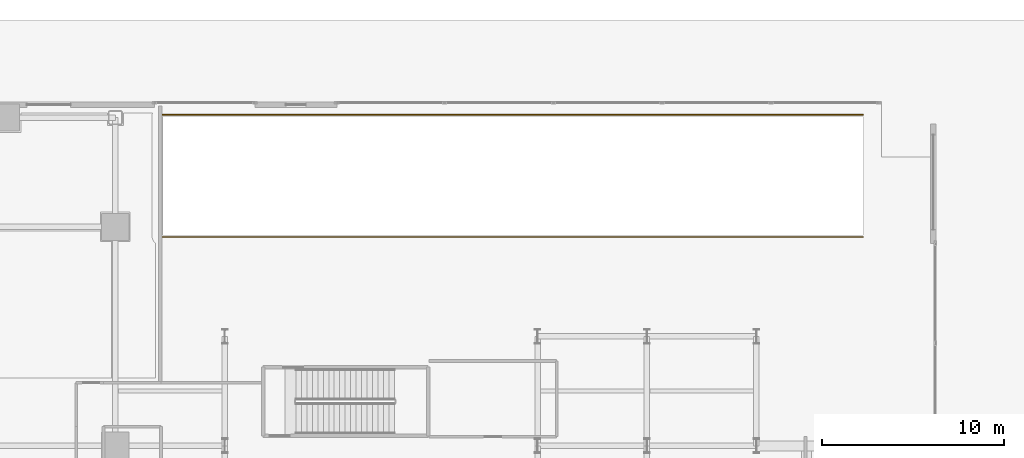
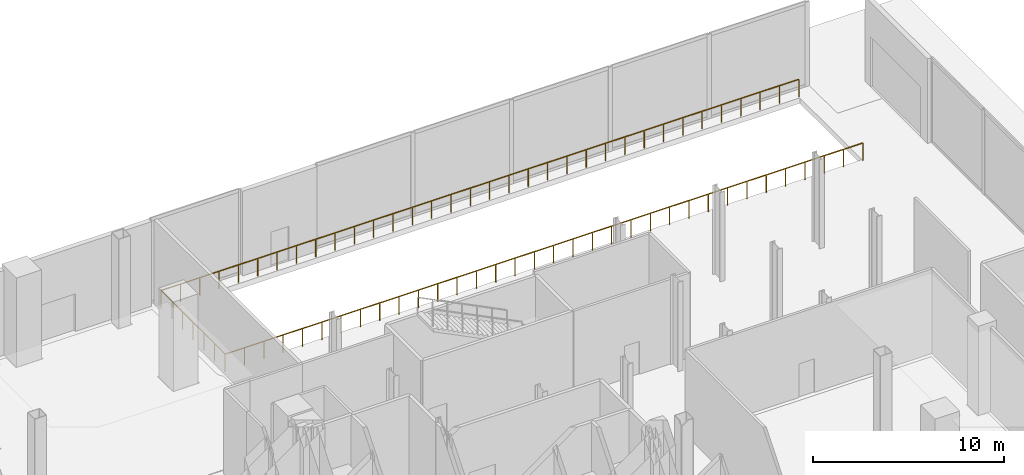
# One storey, part 26 of 27: 1 railing.
"""IFC4 building model written with IfcOpenShell, lengths in metres."""

from ifc_helpers import new_model, si_unit, direction, frame, origin, origin_2d, place, context, subcontext, project, spatial, rectangle, extrude, material, type_object, element, save


model = new_model("IFC4")

# Units and contexts
model_context = context("Model", 3, precision=1e-05, world=origin(), true_north=direction((0.0, 1.0)))
body_context = subcontext(model_context, "Body", "Model", "MODEL_VIEW")
ifc_project = project(units=[si_unit("LENGTHUNIT", "METRE"), si_unit("AREAUNIT", "SQUARE_METRE"), si_unit("VOLUMEUNIT", "CUBIC_METRE"), si_unit("PLANEANGLEUNIT", "RADIAN"), si_unit("MASSUNIT", "GRAM", prefix="KILO"), si_unit("THERMODYNAMICTEMPERATUREUNIT", "KELVIN"), si_unit("POWERUNIT", "WATT")], contexts=[model_context])

# Site, building, storey
site_placement = place(None, origin())
site = spatial("IfcSite", under=ifc_project, at=site_placement, CompositionType="ELEMENT")
building_placement = place(site_placement, origin())
building = spatial("IfcBuilding", under=site, at=building_placement, Name="Svarakhadi Broadcast Tower", CompositionType="ELEMENT")
storey_placement = place(building_placement, origin())
storey = spatial("IfcBuildingStorey", under=building, at=storey_placement, Name="L00", CompositionType="ELEMENT", Elevation=0.0)

# Railing
ifc_material = material(Name="Anodised Bronze Aluminium AA 6063-T6", Category="aluminium")
railing_type = type_object("IfcRailingType", Name="Guard_Void_GR04", PredefinedType="GUARDRAIL", material=ifc_material)
railing_placement = place(storey_placement, frame((59.0, 47.300048828125, 0.0)))
element("IfcRailing", 1, at=railing_placement, inside=storey, type_object=railing_type, Name="L00 Vehicle Ramp Portal Well Guard GR-04", PredefinedType="GUARDRAIL", context=body_context, shape_type="SweptSolid", body=[
    extrude(rectangle(XDim=0.048095703125, YDim=0.048095703125, at=origin_2d()), frame((0.0, 0.0, 1.1259765625), z_axis=(-1.0, 0.0, 0.0), x_axis=(0.0, -1.0, 0.0)), (0.0, 0.0, 1.0), 38.5),
    extrude(rectangle(XDim=0.048095703125, YDim=0.048095703125, at=origin_2d()), frame((-38.5, 0.0, 1.1259765625), z_axis=(0.0, -1.0, 0.0), x_axis=(1.0, 0.0, 0.0)), (0.0, 0.0, 1.0), 6.699951171875),
    extrude(rectangle(XDim=0.048095703125, YDim=0.048095703125, at=origin_2d()), frame((-38.5, -6.699951171875, 1.1259765625), z_axis=(1.0, 0.0, 0.0), x_axis=(0.0, 1.0, 0.0)), (0.0, 0.0, 1.0), 38.5),
    extrude(rectangle(XDim=0.0419921875, YDim=0.0419921875, at=origin_2d()), origin(), (0.0, 0.0, 1.0), 1.101806640625),
    extrude(rectangle(XDim=0.0419921875, YDim=0.0419921875, at=origin_2d()), frame((-1.166748046875, 0.0, 0.0)), (0.0, 0.0, 1.0), 1.101806640625),
    extrude(rectangle(XDim=0.0419921875, YDim=0.0419921875, at=origin_2d()), frame((-2.333251953125, 0.0, 0.0)), (0.0, 0.0, 1.0), 1.101806640625),
    extrude(rectangle(XDim=0.0419921875, YDim=0.0419921875, at=origin_2d()), frame((-3.5, 0.0, 0.0)), (0.0, 0.0, 1.0), 1.101806640625),
    extrude(rectangle(XDim=0.0419921875, YDim=0.0419921875, at=origin_2d()), frame((-4.666748046875, 0.0, 0.0)), (0.0, 0.0, 1.0), 1.101806640625),
    extrude(rectangle(XDim=0.0419921875, YDim=0.0419921875, at=origin_2d()), frame((-5.833251953125, 0.0, 0.0)), (0.0, 0.0, 1.0), 1.101806640625),
    extrude(rectangle(XDim=0.0419921875, YDim=0.0419921875, at=origin_2d()), frame((-7.0, 0.0, 0.0)), (0.0, 0.0, 1.0), 1.101806640625),
    extrude(rectangle(XDim=0.0419921875, YDim=0.0419921875, at=origin_2d()), frame((-8.166748046875, 0.0, 0.0)), (0.0, 0.0, 1.0), 1.101806640625),
    extrude(rectangle(XDim=0.0419921875, YDim=0.0419921875, at=origin_2d()), frame((-9.333251953125, 0.0, 0.0)), (0.0, 0.0, 1.0), 1.101806640625),
    extrude(rectangle(XDim=0.0419921875, YDim=0.0419921875, at=origin_2d()), frame((-10.5, 0.0, 0.0)), (0.0, 0.0, 1.0), 1.101806640625),
    extrude(rectangle(XDim=0.0419921875, YDim=0.0419921875, at=origin_2d()), frame((-11.666748046875, 0.0, 0.0)), (0.0, 0.0, 1.0), 1.101806640625),
    extrude(rectangle(XDim=0.0419921875, YDim=0.0419921875, at=origin_2d()), frame((-12.833251953125, 0.0, 0.0)), (0.0, 0.0, 1.0), 1.101806640625),
    extrude(rectangle(XDim=0.0419921875, YDim=0.0419921875, at=origin_2d()), frame((-14.0, 0.0, 0.0)), (0.0, 0.0, 1.0), 1.101806640625),
    extrude(rectangle(XDim=0.0419921875, YDim=0.0419921875, at=origin_2d()), frame((-15.166748046875, 0.0, 0.0)), (0.0, 0.0, 1.0), 1.101806640625),
    extrude(rectangle(XDim=0.0419921875, YDim=0.0419921875, at=origin_2d()), frame((-16.333251953125, 0.0, 0.0)), (0.0, 0.0, 1.0), 1.101806640625),
    extrude(rectangle(XDim=0.0419921875, YDim=0.0419921875, at=origin_2d()), frame((-17.5, 0.0, 0.0)), (0.0, 0.0, 1.0), 1.101806640625),
    extrude(rectangle(XDim=0.0419921875, YDim=0.0419921875, at=origin_2d()), frame((-18.666748046875, 0.0, 0.0)), (0.0, 0.0, 1.0), 1.101806640625),
    extrude(rectangle(XDim=0.0419921875, YDim=0.0419921875, at=origin_2d()), frame((-19.833251953125, 0.0, 0.0)), (0.0, 0.0, 1.0), 1.101806640625),
    extrude(rectangle(XDim=0.0419921875, YDim=0.0419921875, at=origin_2d()), frame((-21.0, 0.0, 0.0)), (0.0, 0.0, 1.0), 1.101806640625),
    extrude(rectangle(XDim=0.0419921875, YDim=0.0419921875, at=origin_2d()), frame((-22.166748046875, 0.0, 0.0)), (0.0, 0.0, 1.0), 1.101806640625),
    extrude(rectangle(XDim=0.0419921875, YDim=0.0419921875, at=origin_2d()), frame((-23.333251953125, 0.0, 0.0)), (0.0, 0.0, 1.0), 1.101806640625),
    extrude(rectangle(XDim=0.0419921875, YDim=0.0419921875, at=origin_2d()), frame((-24.5, 0.0, 0.0)), (0.0, 0.0, 1.0), 1.101806640625),
    extrude(rectangle(XDim=0.0419921875, YDim=0.0419921875, at=origin_2d()), frame((-25.666748046875, 0.0, 0.0)), (0.0, 0.0, 1.0), 1.101806640625),
    extrude(rectangle(XDim=0.0419921875, YDim=0.0419921875, at=origin_2d()), frame((-26.833251953125, 0.0, 0.0)), (0.0, 0.0, 1.0), 1.101806640625),
    extrude(rectangle(XDim=0.0419921875, YDim=0.0419921875, at=origin_2d()), frame((-28.0, 0.0, 0.0)), (0.0, 0.0, 1.0), 1.101806640625),
    extrude(rectangle(XDim=0.0419921875, YDim=0.0419921875, at=origin_2d()), frame((-29.166748046875, 0.0, 0.0)), (0.0, 0.0, 1.0), 1.101806640625),
    extrude(rectangle(XDim=0.0419921875, YDim=0.0419921875, at=origin_2d()), frame((-30.333251953125, 0.0, 0.0)), (0.0, 0.0, 1.0), 1.101806640625),
    extrude(rectangle(XDim=0.0419921875, YDim=0.0419921875, at=origin_2d()), frame((-31.5, 0.0, 0.0)), (0.0, 0.0, 1.0), 1.101806640625),
    extrude(rectangle(XDim=0.0419921875, YDim=0.0419921875, at=origin_2d()), frame((-32.666748046875, 0.0, 0.0)), (0.0, 0.0, 1.0), 1.101806640625),
    extrude(rectangle(XDim=0.0419921875, YDim=0.0419921875, at=origin_2d()), frame((-33.833251953125, 0.0, 0.0)), (0.0, 0.0, 1.0), 1.101806640625),
    extrude(rectangle(XDim=0.0419921875, YDim=0.0419921875, at=origin_2d()), frame((-35.0, 0.0, 0.0)), (0.0, 0.0, 1.0), 1.101806640625),
    extrude(rectangle(XDim=0.0419921875, YDim=0.0419921875, at=origin_2d()), frame((-36.166748046875, 0.0, 0.0)), (0.0, 0.0, 1.0), 1.101806640625),
    extrude(rectangle(XDim=0.0419921875, YDim=0.0419921875, at=origin_2d()), frame((-37.333251953125, 0.0, 0.0)), (0.0, 0.0, 1.0), 1.101806640625),
    extrude(rectangle(XDim=0.0419921875, YDim=0.0419921875, at=origin_2d()), frame((-38.5, 0.0, 0.0)), (0.0, 0.0, 1.0), 1.101806640625),
    extrude(rectangle(XDim=0.0419921875, YDim=0.0419921875, at=origin_2d()), frame((-38.5, -1.11669921875, 0.0)), (0.0, 0.0, 1.0), 1.101806640625),
    extrude(rectangle(XDim=0.0419921875, YDim=0.0419921875, at=origin_2d()), frame((-38.5, -2.2333984375, 0.0)), (0.0, 0.0, 1.0), 1.101806640625),
    extrude(rectangle(XDim=0.0419921875, YDim=0.0419921875, at=origin_2d()), frame((-38.5, -3.35009765625, 0.0)), (0.0, 0.0, 1.0), 1.101806640625),
    extrude(rectangle(XDim=0.0419921875, YDim=0.0419921875, at=origin_2d()), frame((-38.5, -4.466552734375, 0.0)), (0.0, 0.0, 1.0), 1.101806640625),
    extrude(rectangle(XDim=0.0419921875, YDim=0.0419921875, at=origin_2d()), frame((-38.5, -5.583251953125, 0.0)), (0.0, 0.0, 1.0), 1.101806640625),
    extrude(rectangle(XDim=0.0419921875, YDim=0.0419921875, at=origin_2d()), frame((-38.5, -6.699951171875, 0.0)), (0.0, 0.0, 1.0), 1.101806640625),
    extrude(rectangle(XDim=0.0419921875, YDim=0.0419921875, at=origin_2d()), frame((-37.333251953125, -6.699951171875, 0.0)), (0.0, 0.0, 1.0), 1.101806640625),
    extrude(rectangle(XDim=0.0419921875, YDim=0.0419921875, at=origin_2d()), frame((-36.166748046875, -6.699951171875, 0.0)), (0.0, 0.0, 1.0), 1.101806640625),
    extrude(rectangle(XDim=0.0419921875, YDim=0.0419921875, at=origin_2d()), frame((-35.0, -6.699951171875, 0.0)), (0.0, 0.0, 1.0), 1.101806640625),
    extrude(rectangle(XDim=0.0419921875, YDim=0.0419921875, at=origin_2d()), frame((-33.833251953125, -6.699951171875, 0.0)), (0.0, 0.0, 1.0), 1.101806640625),
    extrude(rectangle(XDim=0.0419921875, YDim=0.0419921875, at=origin_2d()), frame((-32.666748046875, -6.699951171875, 0.0)), (0.0, 0.0, 1.0), 1.101806640625),
    extrude(rectangle(XDim=0.0419921875, YDim=0.0419921875, at=origin_2d()), frame((-31.5, -6.699951171875, 0.0)), (0.0, 0.0, 1.0), 1.101806640625),
    extrude(rectangle(XDim=0.0419921875, YDim=0.0419921875, at=origin_2d()), frame((-30.333251953125, -6.699951171875, 0.0)), (0.0, 0.0, 1.0), 1.101806640625),
    extrude(rectangle(XDim=0.0419921875, YDim=0.0419921875, at=origin_2d()), frame((-29.166748046875, -6.699951171875, 0.0)), (0.0, 0.0, 1.0), 1.101806640625),
    extrude(rectangle(XDim=0.0419921875, YDim=0.0419921875, at=origin_2d()), frame((-28.0, -6.699951171875, 0.0)), (0.0, 0.0, 1.0), 1.101806640625),
    extrude(rectangle(XDim=0.0419921875, YDim=0.0419921875, at=origin_2d()), frame((-26.833251953125, -6.699951171875, 0.0)), (0.0, 0.0, 1.0), 1.101806640625),
    extrude(rectangle(XDim=0.0419921875, YDim=0.0419921875, at=origin_2d()), frame((-25.666748046875, -6.699951171875, 0.0)), (0.0, 0.0, 1.0), 1.101806640625),
    extrude(rectangle(XDim=0.0419921875, YDim=0.0419921875, at=origin_2d()), frame((-24.5, -6.699951171875, 0.0)), (0.0, 0.0, 1.0), 1.101806640625),
    extrude(rectangle(XDim=0.0419921875, YDim=0.0419921875, at=origin_2d()), frame((-23.333251953125, -6.699951171875, 0.0)), (0.0, 0.0, 1.0), 1.101806640625),
    extrude(rectangle(XDim=0.0419921875, YDim=0.0419921875, at=origin_2d()), frame((-22.166748046875, -6.699951171875, 0.0)), (0.0, 0.0, 1.0), 1.101806640625),
    extrude(rectangle(XDim=0.0419921875, YDim=0.0419921875, at=origin_2d()), frame((-21.0, -6.699951171875, 0.0)), (0.0, 0.0, 1.0), 1.101806640625),
    extrude(rectangle(XDim=0.0419921875, YDim=0.0419921875, at=origin_2d()), frame((-19.833251953125, -6.699951171875, 0.0)), (0.0, 0.0, 1.0), 1.101806640625),
    extrude(rectangle(XDim=0.0419921875, YDim=0.0419921875, at=origin_2d()), frame((-18.666748046875, -6.699951171875, 0.0)), (0.0, 0.0, 1.0), 1.101806640625),
    extrude(rectangle(XDim=0.0419921875, YDim=0.0419921875, at=origin_2d()), frame((-17.5, -6.699951171875, 0.0)), (0.0, 0.0, 1.0), 1.101806640625),
    extrude(rectangle(XDim=0.0419921875, YDim=0.0419921875, at=origin_2d()), frame((-16.333251953125, -6.699951171875, 0.0)), (0.0, 0.0, 1.0), 1.101806640625),
    extrude(rectangle(XDim=0.0419921875, YDim=0.0419921875, at=origin_2d()), frame((-15.166748046875, -6.699951171875, 0.0)), (0.0, 0.0, 1.0), 1.101806640625),
    extrude(rectangle(XDim=0.0419921875, YDim=0.0419921875, at=origin_2d()), frame((-14.0, -6.699951171875, 0.0)), (0.0, 0.0, 1.0), 1.101806640625),
    extrude(rectangle(XDim=0.0419921875, YDim=0.0419921875, at=origin_2d()), frame((-12.833251953125, -6.699951171875, 0.0)), (0.0, 0.0, 1.0), 1.101806640625),
    extrude(rectangle(XDim=0.0419921875, YDim=0.0419921875, at=origin_2d()), frame((-11.666748046875, -6.699951171875, 0.0)), (0.0, 0.0, 1.0), 1.101806640625),
    extrude(rectangle(XDim=0.0419921875, YDim=0.0419921875, at=origin_2d()), frame((-10.5, -6.699951171875, 0.0)), (0.0, 0.0, 1.0), 1.101806640625),
    extrude(rectangle(XDim=0.0419921875, YDim=0.0419921875, at=origin_2d()), frame((-9.333251953125, -6.699951171875, 0.0)), (0.0, 0.0, 1.0), 1.101806640625),
    extrude(rectangle(XDim=0.0419921875, YDim=0.0419921875, at=origin_2d()), frame((-8.166748046875, -6.699951171875, 0.0)), (0.0, 0.0, 1.0), 1.101806640625),
    extrude(rectangle(XDim=0.0419921875, YDim=0.0419921875, at=origin_2d()), frame((-7.0, -6.699951171875, 0.0)), (0.0, 0.0, 1.0), 1.101806640625),
    extrude(rectangle(XDim=0.0419921875, YDim=0.0419921875, at=origin_2d()), frame((-5.833251953125, -6.699951171875, 0.0)), (0.0, 0.0, 1.0), 1.101806640625),
    extrude(rectangle(XDim=0.0419921875, YDim=0.0419921875, at=origin_2d()), frame((-4.666748046875, -6.699951171875, 0.0)), (0.0, 0.0, 1.0), 1.101806640625),
    extrude(rectangle(XDim=0.0419921875, YDim=0.0419921875, at=origin_2d()), frame((-3.5, -6.699951171875, 0.0)), (0.0, 0.0, 1.0), 1.101806640625),
    extrude(rectangle(XDim=0.0419921875, YDim=0.0419921875, at=origin_2d()), frame((-2.333251953125, -6.699951171875, 0.0)), (0.0, 0.0, 1.0), 1.101806640625),
    extrude(rectangle(XDim=0.0419921875, YDim=0.0419921875, at=origin_2d()), frame((-1.166748046875, -6.699951171875, 0.0)), (0.0, 0.0, 1.0), 1.101806640625),
    extrude(rectangle(XDim=0.0419921875, YDim=0.0419921875, at=origin_2d()), frame((0.0, -6.699951171875, 0.0)), (0.0, 0.0, 1.0), 1.101806640625),
])

save(model, "model.ifc")
